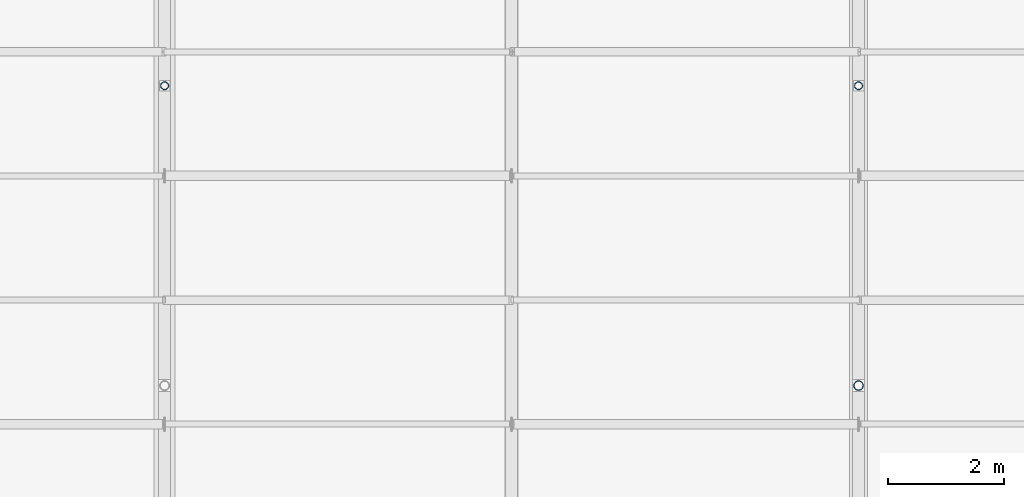
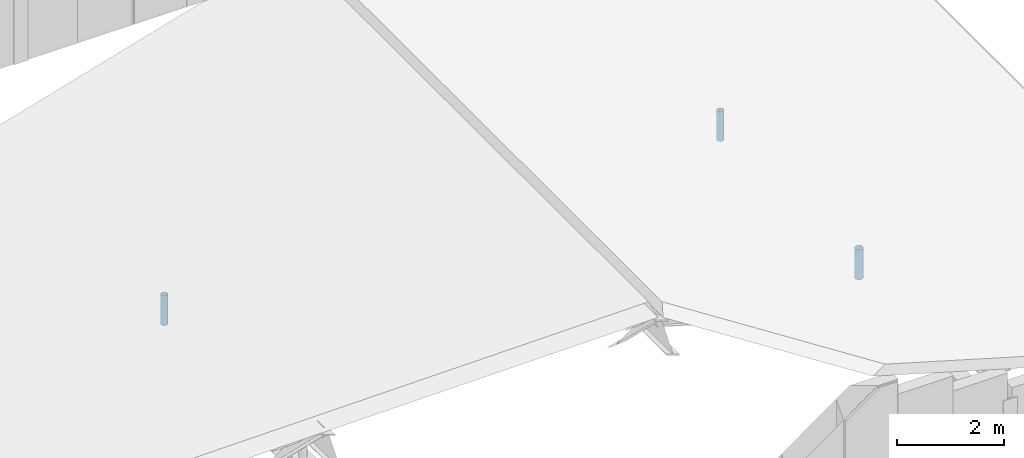
# One storey, part 35 of 74: 3 members.
"""IFC4 building model written with IfcOpenShell, lengths in metres."""

import ifcopenshell
import ifcopenshell.guid

model = None  # the IFC model being written
_history = None  # IfcOwnerHistory: only IFC2X3 demands one
_inside = {}  # id of a spatial element -> (the spatial element, [elements in it])
_under = {}  # id of a project, library or spatial element -> (it, [spatial elements below it])
_declared = {}  # id of a project -> (the project, [libraries it declares])
_typed = {}  # id of a type object -> (the type object, [elements of that type])
_made_of = {}  # id of a material, layer set ... -> (it, [elements and type objects made of it])


def new_model(schema):
    """Start an empty IFC model of exactly this schema.

    Asked for "IFC4X3", IfcOpenShell would pick the latest addendum, in which some entities
    have other attributes; the version numbers below select the first issue.
    IFC2X3 requires an IfcOwnerHistory on every rooted entity: one is made here for all.
    """
    global model, _history
    if schema == "IFC4X3":
        model = ifcopenshell.file(schema_version=(4, 3, 0, 0))
    else:
        model = ifcopenshell.file(schema=schema)
    _inside.clear()
    _under.clear()
    _declared.clear()
    _typed.clear()
    _made_of.clear()
    _history = None
    if model.schema == "IFC2X3":
        org = make("IfcOrganization", Name="unknown")
        user = make(
            "IfcPersonAndOrganization",
            ThePerson=make("IfcPerson", FamilyName="unknown"),
            TheOrganization=org,
        )
        app = make(
            "IfcApplication",
            ApplicationDeveloper=org,
            Version="unknown",
            ApplicationFullName="unknown",
            ApplicationIdentifier="unknown",
        )
        _history = make(
            "IfcOwnerHistory",
            OwningUser=user,
            OwningApplication=app,
            ChangeAction="ADDED",
            CreationDate=0,
        )
    return model


def make(cls, **values):
    """One entity of the class cls with the attributes given. An attribute that is None is left unset."""
    return model.create_entity(
        cls, **{name: value for name, value in values.items() if value is not None}
    )


def rooted(cls, **values):
    """An entity with a GlobalId (a new one), such as an element, a storey or a relation."""
    return make(cls, GlobalId=ifcopenshell.guid.new(), OwnerHistory=_history, **values)


def si_unit(unit_type, name, prefix=None):
    """IfcSIUnit, for example si_unit("LENGTHUNIT", "METRE", prefix="MILLI")."""
    return make("IfcSIUnit", UnitType=unit_type, Prefix=prefix, Name=name)


def assignment(units):
    """IfcUnitAssignment: the units of a project."""
    return None if units is None else make("IfcUnitAssignment", Units=units)


def point(xyz):
    """IfcCartesianPoint."""
    return None if xyz is None else make("IfcCartesianPoint", Coordinates=xyz)


def direction(xyz):
    """IfcDirection."""
    return None if xyz is None else make("IfcDirection", DirectionRatios=xyz)


def frame(location, z_axis=None, x_axis=None):
    """IfcAxis2Placement3D, a coordinate frame: its origin and axes. An axis left out is left unset."""
    return make(
        "IfcAxis2Placement3D",
        Location=point(location),
        Axis=direction(z_axis),
        RefDirection=direction(x_axis),
    )


def frame_2d(location, x_axis=None):
    """IfcAxis2Placement2D, a coordinate frame in the plane: its origin and x axis."""
    return make(
        "IfcAxis2Placement2D", Location=point(location), RefDirection=direction(x_axis)
    )


def origin():
    """The frame at (0, 0, 0) with its axes left unset."""
    return frame((0.0, 0.0, 0.0))


def origin_2d():
    """The frame at (0, 0) in the plane with its x axis left unset."""
    return frame_2d((0.0, 0.0))


def place(relative_to, where):
    """IfcLocalPlacement: puts the frame where relative to a parent placement (None: the world)."""
    return make(
        "IfcLocalPlacement", PlacementRelTo=relative_to, RelativePlacement=where
    )


def context(
    kind, dimensions, precision=None, world=None, true_north=None, identifier=None
):
    """IfcGeometricRepresentationContext, for example the 3D "Model" context."""
    return make(
        "IfcGeometricRepresentationContext",
        ContextIdentifier=identifier,
        ContextType=kind,
        CoordinateSpaceDimension=dimensions,
        Precision=precision,
        WorldCoordinateSystem=world,
        TrueNorth=true_north,
    )


def subcontext(parent, identifier, kind, view, scale=None):
    """IfcGeometricRepresentationSubContext, for example "Body" below "Model"."""
    return make(
        "IfcGeometricRepresentationSubContext",
        ContextIdentifier=identifier,
        ContextType=kind,
        ParentContext=parent,
        TargetScale=scale,
        TargetView=view,
    )


def project(units=None, contexts=None):
    """IfcProject with its units and contexts."""
    return rooted(
        "IfcProject",
        Name="project",
        RepresentationContexts=contexts,
        UnitsInContext=assignment(units),
    )


def spatial(cls, under=None, at=None, **own):
    """A site, building, storey or space (cls), placed at a placement, below another one or the project."""
    s = rooted(cls, ObjectPlacement=at, **own)
    if under is not None:
        _under.setdefault(under.id(), (under, []))[1].append(s)
    return s


def profile(cls, at=None, kind="AREA", **sizes):
    """A parametric profile (cls). Its sizes go by their IFC names, for example OverallWidth=200.0."""
    return make(cls, ProfileType=kind, Position=at, **sizes)


def hollow_circle(**sizes):
    """IfcCircleHollowProfileDef."""
    return profile("IfcCircleHollowProfileDef", **sizes)


def extrude(swept, where, along, depth):
    """IfcExtrudedAreaSolid: the profile swept, set in the frame where, extruded along a direction by depth."""
    return make(
        "IfcExtrudedAreaSolid",
        SweptArea=swept,
        Position=where,
        ExtrudedDirection=direction(along),
        Depth=depth,
    )


def shape(context_of_items, identifier, shape_type, items):
    """IfcShapeRepresentation: the items that make up one representation, for example the "Body"."""
    return make(
        "IfcShapeRepresentation",
        ContextOfItems=context_of_items,
        RepresentationIdentifier=identifier,
        RepresentationType=shape_type,
        Items=items,
    )


def material(Name=None, Category=None):
    """IfcMaterial."""
    return make("IfcMaterial", Name=Name, Category=Category)


def material_profile(
    of_material, cross_section, Name=None, Category=None, Priority=None
):
    """IfcMaterialProfile: a cross section and its material."""
    return make(
        "IfcMaterialProfile",
        Name=Name,
        Material=of_material,
        Profile=cross_section,
        Priority=Priority,
        Category=Category,
    )


def profile_set(profiles, Name=None, composite=None):
    """IfcMaterialProfileSet."""
    return make(
        "IfcMaterialProfileSet",
        Name=Name,
        MaterialProfiles=profiles,
        CompositeProfile=composite,
    )


def made_of(thing, what):
    """Note that an element or type object is made of a material, layer set ...; save() writes the relation."""
    if what is not None:
        _made_of.setdefault(what.id(), (what, []))[1].append(thing)
    return thing


def type_object(cls, material=None, **own):
    """A type object (cls), such as IfcWallType, which elements share."""
    return made_of(rooted(cls, **own), material)


def element(
    cls,
    number,
    at=None,
    inside=None,
    cuts=None,
    type_object=None,
    material=None,
    context=None,
    identifier="Body",
    shape_type=None,
    held_by="IfcProductDefinitionShape",
    body=None,
    shapes=None,
    **own,
):
    """One element of the class cls, such as IfcWall. Its Tag is "e" and its number.

    at: its placement. inside: the storey or other place that contains it. cuts: it is an
    opening in that element (IfcRelVoidsElement). A single representation is given by context,
    identifier, shape_type and body (its items); several are given by shapes. held_by: the class
    of the entity that holds the representations. save() writes the other relations.
    """
    e = rooted(cls, Tag="e%d" % number, ObjectPlacement=at, **own)
    if body is not None:
        shapes = [shape(context, identifier, shape_type, body)]
    if shapes is not None:
        e.Representation = make(held_by, Representations=shapes)
    if inside is not None:
        _inside.setdefault(inside.id(), (inside, []))[1].append(e)
    if cuts is not None:
        rooted(
            "IfcRelVoidsElement", RelatingBuildingElement=cuts, RelatedOpeningElement=e
        )
    if type_object is not None:
        _typed.setdefault(type_object.id(), (type_object, []))[1].append(e)
    return made_of(e, material)


def aggregate(whole, parts):
    """IfcRelAggregates: a whole, such as a stair, and the parts it consists of."""
    return rooted("IfcRelAggregates", RelatingObject=whole, RelatedObjects=parts)


def save(model, path):
    """Write the relations noted so far, then the file.

    IfcRelAggregates (storeys below a building ...), IfcRelContainedInSpatialStructure (elements
    in a storey), IfcRelDefinesByType, IfcRelAssociatesMaterial and IfcRelDeclares: one each for
    every whole, place, type object, material and project.
    """
    for whole, parts in _under.values():
        aggregate(whole, parts)
    for where, things in _inside.values():
        rooted(
            "IfcRelContainedInSpatialStructure",
            RelatedElements=things,
            RelatingStructure=where,
        )
    for kind, things in _typed.values():
        rooted("IfcRelDefinesByType", RelatedObjects=things, RelatingType=kind)
    for what, things in _made_of.values():
        rooted("IfcRelAssociatesMaterial", RelatedObjects=things, RelatingMaterial=what)
    for by, libraries in _declared.values():
        rooted("IfcRelDeclares", RelatingContext=by, RelatedDefinitions=libraries)
    model.write(path)


model = new_model("IFC4")

# Units and contexts
model_context = context("Model", 3, precision=1e-05, world=origin(), true_north=direction((0.0, 1.0)))
body_context = subcontext(model_context, "Body", "Model", "MODEL_VIEW")
ifc_project = project(units=[si_unit("LENGTHUNIT", "METRE"), si_unit("AREAUNIT", "SQUARE_METRE"), si_unit("VOLUMEUNIT", "CUBIC_METRE"), si_unit("PLANEANGLEUNIT", "RADIAN"), si_unit("MASSUNIT", "GRAM", prefix="KILO")], contexts=[model_context])

# Site, building, storey
site_placement = place(None, origin())
site = spatial("IfcSite", under=ifc_project, at=site_placement, CompositionType="ELEMENT")
building_placement = place(site_placement, origin())
building = spatial("IfcBuilding", under=site, at=building_placement, Name="Siltcreek Boulevard Central Fire Station", CompositionType="ELEMENT")
storey_placement = place(building_placement, frame((0.0, 0.0, 25.199951171875)))
storey = spatial("IfcBuildingStorey", under=building, at=storey_placement, Name="RF", CompositionType="ELEMENT", Elevation=25.199951171875)

# Members
ifc_material = material(Name="Structural steel ASTM A500 GrC", Category="steel")
ifc_material_profile_1 = material_profile(ifc_material, hollow_circle(Radius=0.06982421875, WallThickness=0.00634765625, at=origin_2d()), Name="HSS139.7X6.4")
ifc_profile_set_1 = profile_set([ifc_material_profile_1], Name="Structural steel ASTM A500 GrC")
member_type_1 = type_object("IfcMemberType", Name="BR_CHS139", PredefinedType="BRACE", material=ifc_profile_set_1)
for number, where, z_axis, x_axis, name in (
    (1, (148.199951171875, 12.491943359375, -13.9140625), (0.0, 0.0, 1.0), (1.0, 0.0, 0.0), "Roof truss web strut BR-053"),
    (2, (160.199951171875, 12.491943359375, -13.9140625), (0.0, 0.0, 1.0), (1.0, 0.0, 0.0), "Roof truss web strut BR-055"),
):
    element("IfcMember", number, at=place(storey_placement, frame(where, z_axis=z_axis, x_axis=x_axis)), inside=storey, type_object=member_type_1, Name=name, PredefinedType="BRACE", context=body_context, shape_type="SweptSolid", body=[
        extrude(hollow_circle(Radius=0.06982421875, WallThickness=0.00634765625, at=origin_2d()), origin(), (0.0, 0.0, 1.0), 0.68017578125),
    ])
ifc_material_profile_2 = material_profile(ifc_material, hollow_circle(Radius=0.084228515625, WallThickness=0.007080078125, at=origin_2d()), Name="HSS168.3X7.1")
ifc_profile_set_2 = profile_set([ifc_material_profile_2], Name="Structural steel ASTM A500 GrC")
member_type_2 = type_object("IfcMemberType", Name="BR_CHS168", PredefinedType="BRACE", material=ifc_profile_set_2)
member_placement = place(storey_placement, frame((160.199951171875, 7.30810546875, -13.9140625), z_axis=(0.0, 0.0, 1.0), x_axis=(1.0, 0.0, 0.0)))
element("IfcMember", 3, at=member_placement, inside=storey, type_object=member_type_2, Name="Roof truss web strut BR-054", PredefinedType="BRACE", context=body_context, shape_type="SweptSolid", body=[
    extrude(hollow_circle(Radius=0.084228515625, WallThickness=0.007080078125, at=origin_2d()), origin(), (0.0, 0.0, 1.0), 0.68017578125),
])

save(model, "model.ifc")
